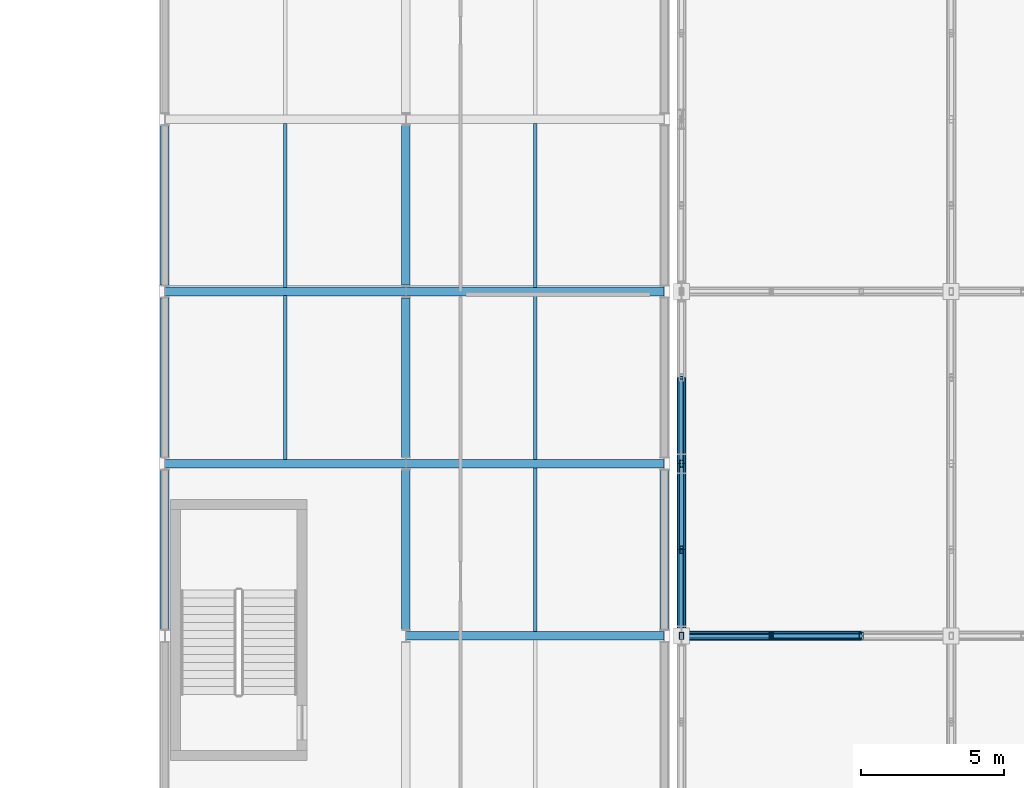
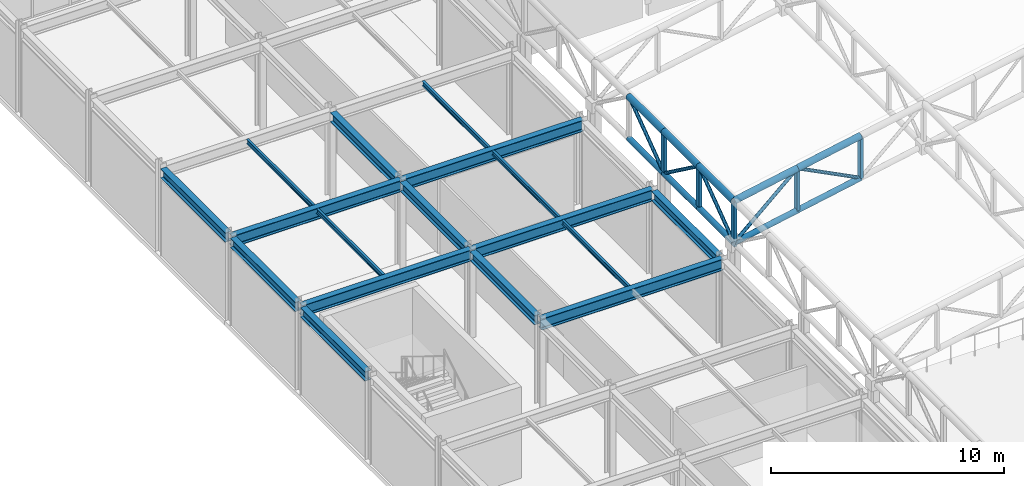
# One storey, part 58 of 112: 20 members, 17 beams.
"""IFC4 building model written with IfcOpenShell, lengths in metres."""

from ifc_helpers import new_model, si_unit, direction, frame, origin, origin_2d, place, context, subcontext, project, spatial, hollow_rectangle, hollow_circle, i_section, extrude, material, material_profile, profile_set, type_object, element, save


model = new_model("IFC4")

# Units and contexts
model_context = context("Model", 3, precision=1e-05, world=origin(), true_north=direction((0.0, 1.0)))
body_context = subcontext(model_context, "Body", "Model", "MODEL_VIEW")
ifc_project = project(units=[si_unit("LENGTHUNIT", "METRE"), si_unit("AREAUNIT", "SQUARE_METRE"), si_unit("VOLUMEUNIT", "CUBIC_METRE"), si_unit("PLANEANGLEUNIT", "RADIAN"), si_unit("MASSUNIT", "GRAM", prefix="KILO")], contexts=[model_context])

# Site, building, storey
site_placement = place(None, origin())
site = spatial("IfcSite", under=ifc_project, at=site_placement, CompositionType="ELEMENT")
building_placement = place(site_placement, origin())
building = spatial("IfcBuilding", under=site, at=building_placement, Name="Kaldris Quays Convention Centre", CompositionType="ELEMENT")
storey_placement = place(building_placement, frame((0.0, 0.0, 16.800048828125)))
storey = spatial("IfcBuildingStorey", under=building, at=storey_placement, Name="L03", CompositionType="ELEMENT", Elevation=16.800048828125)

# Beams
ifc_material_1 = material(Name="Steel S355J2", Category="steel")
ifc_material_profile_1 = material_profile(ifc_material_1, i_section(OverallWidth=0.300048828125, OverallDepth=0.590087890625, WebThickness=0.012939453125, FlangeThickness=0.02490234375, FilletRadius=0.027099609375, at=origin_2d()), Name="HEA 600")
ifc_profile_set_1 = profile_set([ifc_material_profile_1], Name="Steel S355J2")
beam_type_1 = type_object("IfcBeamType", Name="STRUCTURAL BEAM BM08", PredefinedType="BEAM", material=ifc_profile_set_1)
beam_1_placement = place(storey_placement, frame((155.0009765625, 80.0, 4.284912109375), z_axis=(1.0, 0.0, 0.0), x_axis=(0.0, 1.0, 0.0)))
element("IfcBeam", 1, at=beam_1_placement, inside=storey, type_object=beam_type_1, Name="L03 Girder BM08 34", PredefinedType="BEAM", context=body_context, shape_type="SweptSolid", body=[
    extrude(i_section(OverallWidth=0.300048828125, OverallDepth=0.590087890625, WebThickness=0.012939453125, FlangeThickness=0.02490234375, FilletRadius=0.027099609375, at=origin_2d()), origin(), (0.0, 0.0, 1.0), 8.998046875),
])
beam_2_placement = place(storey_placement, frame((146.60107421875, 86.0, 4.284912109375), z_axis=(1.0, 0.0, 0.0), x_axis=(0.0, 1.0, 0.0)))
element("IfcBeam", 2, at=beam_2_placement, inside=storey, type_object=beam_type_1, Name="L03 Girder BM08 35", PredefinedType="BEAM", context=body_context, shape_type="SweptSolid", body=[
    extrude(i_section(OverallWidth=0.300048828125, OverallDepth=0.590087890625, WebThickness=0.012939453125, FlangeThickness=0.02490234375, FilletRadius=0.027099609375, at=origin_2d()), origin(), (0.0, 0.0, 1.0), 8.39794921875),
])
beam_3_placement = place(storey_placement, frame((155.0009765625, 86.0, 4.284912109375), z_axis=(1.0, 0.0, 0.0), x_axis=(0.0, 1.0, 0.0)))
element("IfcBeam", 3, at=beam_3_placement, inside=storey, type_object=beam_type_1, Name="L03 Girder BM08 36", PredefinedType="BEAM", context=body_context, shape_type="SweptSolid", body=[
    extrude(i_section(OverallWidth=0.300048828125, OverallDepth=0.590087890625, WebThickness=0.012939453125, FlangeThickness=0.02490234375, FilletRadius=0.027099609375, at=origin_2d()), origin(), (0.0, 0.0, 1.0), 8.998046875),
])
beam_4_placement = place(storey_placement, frame((146.60107421875, 92.0, 4.284912109375), z_axis=(1.0, 0.0, 0.0), x_axis=(0.0, 1.0, 0.0)))
element("IfcBeam", 4, at=beam_4_placement, inside=storey, type_object=beam_type_1, Name="L03 Girder BM08 37", PredefinedType="BEAM", context=body_context, shape_type="SweptSolid", body=[
    extrude(i_section(OverallWidth=0.300048828125, OverallDepth=0.590087890625, WebThickness=0.012939453125, FlangeThickness=0.02490234375, FilletRadius=0.027099609375, at=origin_2d()), origin(), (0.0, 0.0, 1.0), 8.39794921875),
])
beam_5_placement = place(storey_placement, frame((155.0009765625, 92.0, 4.284912109375), z_axis=(1.0, 0.0, 0.0), x_axis=(0.0, 1.0, 0.0)))
element("IfcBeam", 5, at=beam_5_placement, inside=storey, type_object=beam_type_1, Name="L03 Girder BM08 38", PredefinedType="BEAM", context=body_context, shape_type="SweptSolid", body=[
    extrude(i_section(OverallWidth=0.300048828125, OverallDepth=0.590087890625, WebThickness=0.012939453125, FlangeThickness=0.02490234375, FilletRadius=0.027099609375, at=origin_2d()), origin(), (0.0, 0.0, 1.0), 8.998046875),
])
ifc_material_profile_2 = material_profile(ifc_material_1, i_section(OverallWidth=0.300048828125, OverallDepth=0.489990234375, WebThickness=0.011962890625, FlangeThickness=0.02294921875, FilletRadius=0.027099609375, at=origin_2d()), Name="HEA 500")
ifc_profile_set_2 = profile_set([ifc_material_profile_2], Name="Steel S355J2")
beam_type_2 = type_object("IfcBeamType", Name="STRUCTURAL BEAM BM09", PredefinedType="BEAM", material=ifc_profile_set_2)
for number, where, z_axis, x_axis, name in (
    (6, (146.60009765625, 80.218994140625, 4.3349609375), (0.0, 1.0, 0.0), (-1.0, 0.0, 0.0), "L03 Girder BM09 72"),
    (7, (146.60009765625, 86.218994140625, 4.3349609375), (0.0, 1.0, 0.0), (-1.0, 0.0, 0.0), "L03 Girder BM09 73"),
    (8, (146.60009765625, 92.218994140625, 4.3349609375), (0.0, 1.0, 0.0), (-1.0, 0.0, 0.0), "L03 Girder BM09 74"),
    (9, (155.0, 80.218994140625, 4.3349609375), (0.0, 1.0, 0.0), (-1.0, 0.0, 0.0), "L03 Girder BM09 84"),
    (10, (155.0, 86.218994140625, 4.3349609375), (0.0, 1.0, 0.0), (-1.0, 0.0, 0.0), "L03 Girder BM09 85"),
    (11, (155.0, 92.218994140625, 4.3349609375), (0.0, 1.0, 0.0), (-1.0, 0.0, 0.0), "L03 Girder BM09 86"),
    (12, (164.0, 80.218994140625, 4.3349609375), (0.0, 1.0, 0.0), (-1.0, 0.0, 0.0), "L03 Girder BM09 96"),
):
    element("IfcBeam", number, at=place(storey_placement, frame(where, z_axis=z_axis, x_axis=x_axis)), inside=storey, type_object=beam_type_2, Name=name, PredefinedType="BEAM", context=body_context, shape_type="SweptSolid", body=[
        extrude(i_section(OverallWidth=0.300048828125, OverallDepth=0.489990234375, WebThickness=0.011962890625, FlangeThickness=0.02294921875, FilletRadius=0.027099609375, at=origin_2d()), origin(), (0.0, 0.0, 1.0), 5.56201171875),
    ])
ifc_material_profile_3 = material_profile(ifc_material_1, i_section(OverallWidth=0.1201171875, OverallDepth=0.239990234375, WebThickness=0.006103515625, FlangeThickness=0.009765625, FilletRadius=0.014892578125, at=origin_2d()), Name="IPE 240")
ifc_profile_set_3 = profile_set([ifc_material_profile_3], Name="Steel S355J2")
beam_type_3 = type_object("IfcBeamType", Name="STRUCTURAL BEAM JT05", PredefinedType="JOIST", material=ifc_profile_set_3)
for number, where, z_axis, x_axis, name in (
    (13, (159.5, 80.14404296875, 4.4599609375), (0.0, 1.0, 0.0), (-1.0, 0.0, 0.0), "L03 Secondary Joist JT05 19"),
    (14, (150.800048828125, 86.14404296875, 4.4599609375), (0.0, 1.0, 0.0), (-1.0, 0.0, 0.0), "L03 Secondary Joist JT05 20"),
    (15, (159.5, 86.14404296875, 4.4599609375), (0.0, 1.0, 0.0), (-1.0, 0.0, 0.0), "L03 Secondary Joist JT05 21"),
    (16, (150.800048828125, 92.14404296875, 4.4599609375), (0.0, 1.0, 0.0), (-1.0, 0.0, 0.0), "L03 Secondary Joist JT05 22"),
    (17, (159.5, 92.14404296875, 4.4599609375), (0.0, 1.0, 0.0), (-1.0, 0.0, 0.0), "L03 Secondary Joist JT05 23"),
):
    element("IfcBeam", number, at=place(storey_placement, frame(where, z_axis=z_axis, x_axis=x_axis)), inside=storey, type_object=beam_type_3, Name=name, PredefinedType="JOIST", context=body_context, shape_type="SweptSolid", body=[
        extrude(i_section(OverallWidth=0.1201171875, OverallDepth=0.239990234375, WebThickness=0.006103515625, FlangeThickness=0.009765625, FilletRadius=0.014892578125, at=origin_2d()), origin(), (0.0, 0.0, 1.0), 5.7119140625),
    ])

# Members
ifc_material_2 = material(Name="Steel S355J2H", Category="steel")
ifc_material_profile_4 = material_profile(ifc_material_2, hollow_circle(Radius=0.161865234375, WallThickness=0.01611328125, at=origin_2d()), Name="CHS 323.9x16")
ifc_profile_set_4 = profile_set([ifc_material_profile_4], Name="Steel S355J2H")
member_type_1 = type_object("IfcMemberType", Name="STRUCTURAL MEMBER SC03", PredefinedType="CHORD", material=ifc_profile_set_4)
member_1_placement = place(storey_placement, frame((164.60009765625, 80.0, 7.33056640625), z_axis=(0.981908086595, 0.0, 0.189358151342), x_axis=(0.0, 1.0, 0.0)))
element("IfcMember", 18, at=member_1_placement, inside=storey, type_object=member_type_1, Name="SF-V2 Top Chord X 31", PredefinedType="CHORD", context=body_context, shape_type="SweptSolid", body=[
    extrude(hollow_circle(Radius=0.161865234375, WallThickness=0.01611328125, at=origin_2d()), origin(), (0.0, 0.0, 1.0), 3.19091796875),
])
member_2_placement = place(storey_placement, frame((167.7333984375, 80.0, 7.934814453125), z_axis=(0.981893858658, 0.0, 0.189431914761), x_axis=(0.0, 1.0, 0.0)))
element("IfcMember", 19, at=member_2_placement, inside=storey, type_object=member_type_1, Name="SF-V2 Top Chord X 32", PredefinedType="CHORD", context=body_context, shape_type="SweptSolid", body=[
    extrude(hollow_circle(Radius=0.161865234375, WallThickness=0.01611328125, at=origin_2d()), origin(), (0.0, 0.0, 1.0), 3.191162109375),
])
for number, where, z_axis, x_axis, name in (
    (20, (164.60009765625, 80.0, 7.33056640625), (0.0, 1.0, 0.0), (-1.0, 0.0, 0.0), "SF-V2 Top Chord Y 84"),
    (21, (164.60009765625, 83.0, 7.33056640625), (0.0, 1.0, 0.0), (-1.0, 0.0, 0.0), "SF-V2 Top Chord Y 85"),
    (22, (164.60009765625, 86.0, 7.33056640625), (0.0, 1.0, 0.0), (-1.0, 0.0, 0.0), "SF-V2 Top Chord Y 86"),
):
    element("IfcMember", number, at=place(storey_placement, frame(where, z_axis=z_axis, x_axis=x_axis)), inside=storey, type_object=member_type_1, Name=name, PredefinedType="CHORD", context=body_context, shape_type="SweptSolid", body=[
        extrude(hollow_circle(Radius=0.161865234375, WallThickness=0.01611328125, at=origin_2d()), origin(), (0.0, 0.0, 1.0), 3.0),
    ])
ifc_material_profile_5 = material_profile(ifc_material_2, hollow_circle(Radius=0.136474609375, WallThickness=0.012451171875, at=origin_2d()), Name="CHS 273x12.5")
ifc_profile_set_5 = profile_set([ifc_material_profile_5], Name="Steel S355J2H")
member_type_2 = type_object("IfcMemberType", Name="STRUCTURAL MEMBER SC04", PredefinedType="CHORD", material=ifc_profile_set_5)
for number, where, z_axis, x_axis, name in (
    (23, (164.60009765625, 80.0, 5.13037109375), (0.981893858658, 0.0, 0.189431914761), (0.0, 1.0, 0.0), "SF-V2 Bottom Chord X 31"),
    (24, (167.7333984375, 80.0, 5.73486328125), (0.981893858658, 0.0, 0.189431914761), (0.0, 1.0, 0.0), "SF-V2 Bottom Chord X 32"),
):
    element("IfcMember", number, at=place(storey_placement, frame(where, z_axis=z_axis, x_axis=x_axis)), inside=storey, type_object=member_type_2, Name=name, PredefinedType="CHORD", context=body_context, shape_type="SweptSolid", body=[
        extrude(hollow_circle(Radius=0.136474609375, WallThickness=0.012451171875, at=origin_2d()), origin(), (0.0, 0.0, 1.0), 3.191162109375),
    ])
for number, where, z_axis, x_axis, name in (
    (25, (164.60009765625, 80.0, 5.13037109375), (0.0, 1.0, 0.0), (-1.0, 0.0, 0.0), "SF-V2 Bottom Chord Y 84"),
    (26, (164.60009765625, 83.0, 5.13037109375), (0.0, 1.0, 0.0), (-1.0, 0.0, 0.0), "SF-V2 Bottom Chord Y 85"),
    (27, (164.60009765625, 86.0, 5.13037109375), (0.0, 1.0, 0.0), (-1.0, 0.0, 0.0), "SF-V2 Bottom Chord Y 86"),
):
    element("IfcMember", number, at=place(storey_placement, frame(where, z_axis=z_axis, x_axis=x_axis)), inside=storey, type_object=member_type_2, Name=name, PredefinedType="CHORD", context=body_context, shape_type="SweptSolid", body=[
        extrude(hollow_circle(Radius=0.136474609375, WallThickness=0.012451171875, at=origin_2d()), origin(), (0.0, 0.0, 1.0), 3.0),
    ])
ifc_material_profile_6 = material_profile(ifc_material_2, hollow_circle(Radius=0.084228515625, WallThickness=0.008056640625, at=origin_2d()), Name="CHS 168.3x8")
ifc_profile_set_6 = profile_set([ifc_material_profile_6], Name="Steel S355J2H")
member_type_3 = type_object("IfcMemberType", Name="STRUCTURAL MEMBER SWB2", PredefinedType="BRACE", material=ifc_profile_set_6)
member_3_placement = place(storey_placement, frame((164.60009765625, 80.0, 5.13037109375), z_axis=(0.745127417967, 0.0, 0.666922132631), x_axis=(0.0, 1.0, 0.0)))
element("IfcMember", 28, at=member_3_placement, inside=storey, type_object=member_type_3, Name="SF-V2 Web Diagonal X 31", PredefinedType="BRACE", context=body_context, shape_type="SweptSolid", body=[
    extrude(hollow_circle(Radius=0.084228515625, WallThickness=0.008056640625, at=origin_2d()), origin(), (0.0, 0.0, 1.0), 4.205078125),
])
member_4_placement = place(storey_placement, frame((170.86669921875, 80.0, 6.33935546875), z_axis=(-0.891125852246, 0.0, 0.453756229112), x_axis=(0.0, -1.0, 0.0)))
element("IfcMember", 29, at=member_4_placement, inside=storey, type_object=member_type_3, Name="SF-V2 Web Diagonal X 32", PredefinedType="BRACE", context=body_context, shape_type="SweptSolid", body=[
    extrude(hollow_circle(Radius=0.084228515625, WallThickness=0.008056640625, at=origin_2d()), origin(), (0.0, 0.0, 1.0), 3.51611328125),
])
for number, where, z_axis, x_axis, name in (
    (30, (164.60009765625, 80.0, 5.13037109375), (0.0, 0.806379959628, 0.591397802423), (-1.0, 0.0, 0.0), "SF-V2 Web Diagonal Y 84"),
    (31, (164.60009765625, 86.0, 5.13037109375), (0.0, -0.806379959628, 0.591397802423), (1.0, 0.0, 0.0), "SF-V2 Web Diagonal Y 85"),
    (32, (164.60009765625, 86.0, 5.13037109375), (0.0, 0.806379959628, 0.591397802423), (-1.0, 0.0, 0.0), "SF-V2 Web Diagonal Y 86"),
):
    element("IfcMember", number, at=place(storey_placement, frame(where, z_axis=z_axis, x_axis=x_axis)), inside=storey, type_object=member_type_3, Name=name, PredefinedType="BRACE", context=body_context, shape_type="SweptSolid", body=[
        extrude(hollow_circle(Radius=0.084228515625, WallThickness=0.008056640625, at=origin_2d()), origin(), (0.0, 0.0, 1.0), 3.72021484375),
    ])
ifc_material_profile_7 = material_profile(ifc_material_2, hollow_rectangle(XDim=0.14990234375, YDim=0.25, WallThickness=0.010009765625, at=origin_2d()), Name="RHS 250x150x10")
ifc_profile_set_7 = profile_set([ifc_material_profile_7], Name="Steel S355J2H")
member_type_4 = type_object("IfcMemberType", Name="STRUCTURAL MEMBER TTV1", PredefinedType="POST", material=ifc_profile_set_7)
member_5_placement = place(storey_placement, frame((164.60009765625, 80.0, 4.993896484375), z_axis=(0.0, 0.0, 1.0), x_axis=(1.0, 0.0, 0.0)))
element("IfcMember", 33, at=member_5_placement, inside=storey, type_object=member_type_4, Name="SF-V2 Space-Frame Post 9", PredefinedType="POST", context=body_context, shape_type="SweptSolid", body=[
    extrude(hollow_rectangle(XDim=0.14990234375, YDim=0.25, WallThickness=0.010009765625, at=origin_2d()), origin(), (0.0, 0.0, 1.0), 2.336669921875),
])
member_6_placement = place(storey_placement, frame((164.60009765625, 83.0, 5.13037109375), z_axis=(0.0, 0.0, 1.0), x_axis=(1.0, 0.0, 0.0)))
element("IfcMember", 34, at=member_6_placement, inside=storey, type_object=member_type_4, Name="SF-V2 Space-Frame Post 10", PredefinedType="POST", context=body_context, shape_type="SweptSolid", body=[
    extrude(hollow_rectangle(XDim=0.14990234375, YDim=0.25, WallThickness=0.010009765625, at=origin_2d()), origin(), (0.0, 0.0, 1.0), 2.2001953125),
])
member_7_placement = place(storey_placement, frame((164.60009765625, 86.0, 4.993896484375), z_axis=(0.0, 0.0, 1.0), x_axis=(1.0, 0.0, 0.0)))
element("IfcMember", 35, at=member_7_placement, inside=storey, type_object=member_type_4, Name="SF-V2 Space-Frame Post 11", PredefinedType="POST", context=body_context, shape_type="SweptSolid", body=[
    extrude(hollow_rectangle(XDim=0.14990234375, YDim=0.25, WallThickness=0.010009765625, at=origin_2d()), origin(), (0.0, 0.0, 1.0), 2.336669921875),
])
for number, where, z_axis, x_axis, name in (
    (36, (167.73291015625, 80.0, 5.73486328125), (0.0, 0.0, 1.0), (1.0, 0.0, 0.0), "SF-V2 Space-Frame Post 20"),
    (37, (170.866943359375, 80.0, 6.33935546875), (0.0, 0.0, 1.0), (1.0, 0.0, 0.0), "SF-V2 Space-Frame Post 25"),
):
    element("IfcMember", number, at=place(storey_placement, frame(where, z_axis=z_axis, x_axis=x_axis)), inside=storey, type_object=member_type_4, Name=name, PredefinedType="POST", context=body_context, shape_type="SweptSolid", body=[
        extrude(hollow_rectangle(XDim=0.14990234375, YDim=0.25, WallThickness=0.010009765625, at=origin_2d()), origin(), (0.0, 0.0, 1.0), 2.199951171875),
    ])

save(model, "model.ifc")
